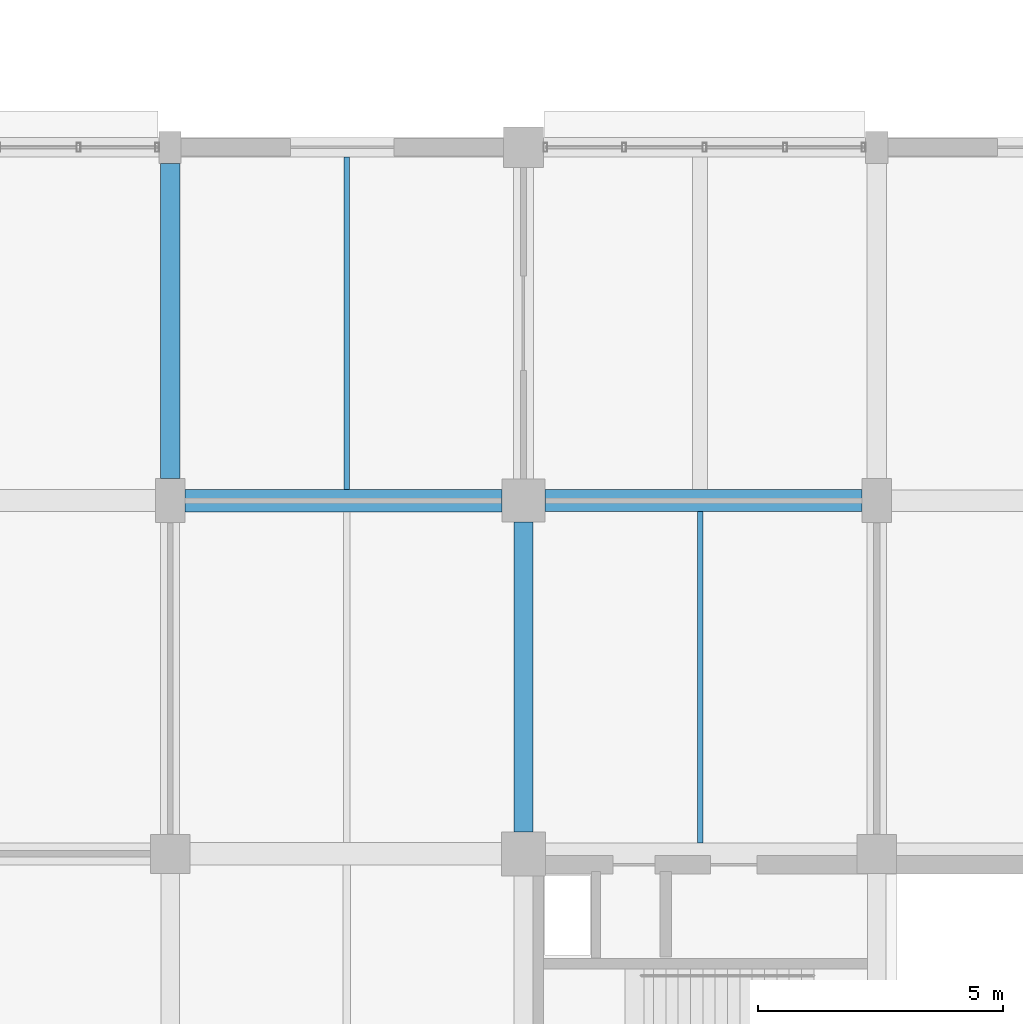
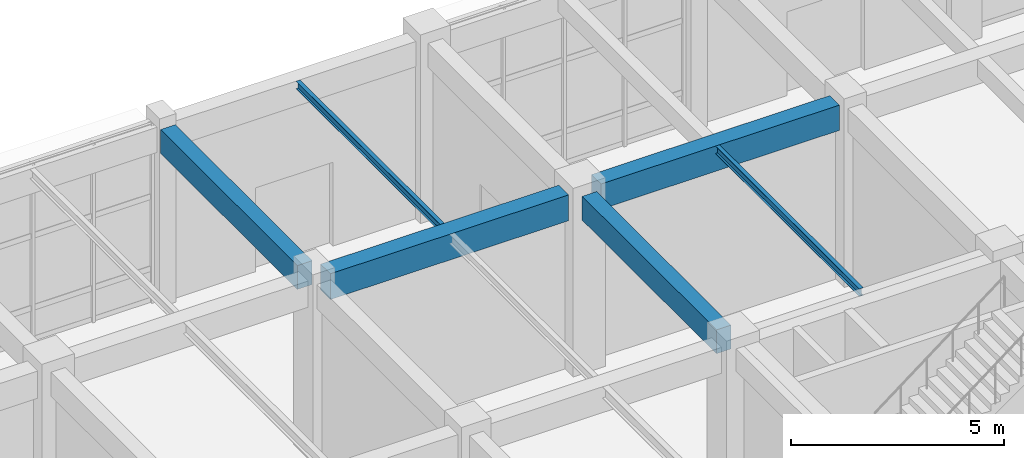
# One storey, part 57 of 160: 6 beams.
"""IFC4 building model written with IfcOpenShell, lengths in metres."""

from ifc_helpers import new_model, si_unit, direction, frame, origin, origin_2d, place, context, subcontext, project, spatial, rectangle, i_section, extrude, material, material_profile, profile_set, type_object, element, save


model = new_model("IFC4")

# Units and contexts
model_context = context("Model", 3, precision=1e-05, world=origin(), true_north=direction((0.0, 1.0)))
body_context = subcontext(model_context, "Body", "Model", "MODEL_VIEW")
ifc_project = project(units=[si_unit("LENGTHUNIT", "METRE"), si_unit("AREAUNIT", "SQUARE_METRE"), si_unit("VOLUMEUNIT", "CUBIC_METRE"), si_unit("PLANEANGLEUNIT", "RADIAN"), si_unit("MASSUNIT", "GRAM", prefix="KILO")], contexts=[model_context])

# Site, building, storey
site_placement = place(None, origin())
site = spatial("IfcSite", under=ifc_project, at=site_placement, CompositionType="ELEMENT")
building_placement = place(site_placement, origin())
building = spatial("IfcBuilding", under=site, at=building_placement, Name="Thalmaran Polytechnic", CompositionType="ELEMENT")
storey_placement = place(building_placement, origin())
storey = spatial("IfcBuildingStorey", under=building, at=storey_placement, Name="L00", CompositionType="ELEMENT", Elevation=0.0)

# Beams
ifc_material_1 = material(Name="Concrete C40/50", Category="concrete")
ifc_material_profile_1 = material_profile(ifc_material_1, rectangle(XDim=0.449951171875, YDim=0.72509765625, at=origin_2d()), Name="RC 450x725")
ifc_profile_set_1 = profile_set([ifc_material_profile_1], Name="Concrete C40/50")
beam_type_1 = type_object("IfcBeamType", Name="BM-RC04", PredefinedType="BEAM", material=ifc_profile_set_1)
beam_1_placement = place(storey_placement, frame((22.0400390625, 115.199951171875, 4.7275390625), z_axis=(1.0, 0.0, 0.0), x_axis=(0.0, 1.0, 0.0)))
element("IfcBeam", 1, at=beam_1_placement, inside=storey, type_object=beam_type_1, Name="Grid Beam B04 L00 X(3,16)", PredefinedType="BEAM", context=body_context, shape_type="SweptSolid", body=[
    extrude(rectangle(XDim=0.449951171875, YDim=0.72509765625, at=origin_2d()), origin(), (0.0, 0.0, 1.0), 6.4599609375),
])
ifc_material_profile_2 = material_profile(ifc_material_1, rectangle(XDim=0.389892578125, YDim=0.68505859375, at=origin_2d()), Name="RC 390x685")
ifc_profile_set_2 = profile_set([ifc_material_profile_2], Name="Concrete C40/50")
beam_type_2 = type_object("IfcBeamType", Name="BM-RC08", PredefinedType="BEAM", material=ifc_profile_set_2)
beam_2_placement = place(storey_placement, frame((21.60009765625, 108.449951171875, 4.74755859375), z_axis=(0.0, 1.0, 0.0), x_axis=(-1.0, 0.0, 0.0)))
element("IfcBeam", 2, at=beam_2_placement, inside=storey, type_object=beam_type_2, Name="Grid Beam B08 L00 Y(3,15)", PredefinedType="BEAM", context=body_context, shape_type="SweptSolid", body=[
    extrude(rectangle(XDim=0.389892578125, YDim=0.68505859375, at=origin_2d()), origin(), (0.0, 0.0, 1.0), 6.31005859375),
])
ifc_material_2 = material(Name="Steel S355", Category="steel")
ifc_material_profile_3 = material_profile(ifc_material_2, i_section(OverallWidth=0.110107421875, OverallDepth=0.219970703125, WebThickness=0.005859375, FlangeThickness=0.00927734375, at=origin_2d()), Name="IPE 220")
ifc_profile_set_3 = profile_set([ifc_material_profile_3], Name="Steel S355")
beam_type_3 = type_object("IfcBeamType", Name="BM-SJ04", PredefinedType="JOIST", material=ifc_profile_set_3)
beam_3_placement = place(storey_placement, frame((18.0, 115.429931640625, 4.97998046875), z_axis=(0.0, 1.0, 0.0), x_axis=(-1.0, 0.0, 0.0)))
element("IfcBeam", 3, at=beam_3_placement, inside=storey, type_object=beam_type_3, Name="Secondary Floor Rib SJ04 L00 (2,16)", PredefinedType="JOIST", context=body_context, shape_type="SweptSolid", body=[
    extrude(i_section(OverallWidth=0.110107421875, OverallDepth=0.219970703125, WebThickness=0.005859375, FlangeThickness=0.00927734375, at=origin_2d()), origin(), (0.0, 0.0, 1.0), 6.77001953125),
])
beam_4_placement = place(storey_placement, frame((25.199951171875, 108.22509765625, 4.97998046875), z_axis=(0.0, 1.0, 0.0), x_axis=(-1.0, 0.0, 0.0)))
element("IfcBeam", 4, at=beam_4_placement, inside=storey, type_object=beam_type_3, Name="Secondary Floor Rib SJ04 L00 (3,15)", PredefinedType="JOIST", context=body_context, shape_type="SweptSolid", body=[
    extrude(i_section(OverallWidth=0.110107421875, OverallDepth=0.219970703125, WebThickness=0.005859375, FlangeThickness=0.00927734375, at=origin_2d()), origin(), (0.0, 0.0, 1.0), 6.75),
])
ifc_material_profile_4 = material_profile(ifc_material_1, rectangle(XDim=0.4599609375, YDim=0.739990234375, at=origin_2d()), Name="RC 460x740")
ifc_profile_set_4 = profile_set([ifc_material_profile_4], Name="Concrete C40/50")
beam_type_4 = type_object("IfcBeamType", Name="BM-ZB02", PredefinedType="BEAM", material=ifc_profile_set_4)
beam_5_placement = place(storey_placement, frame((14.699951171875, 115.199951171875, 4.719970703125), z_axis=(1.0, 0.0, 0.0), x_axis=(0.0, 1.0, 0.0)))
element("IfcBeam", 5, at=beam_5_placement, inside=storey, type_object=beam_type_4, Name="Grid Beam ZB02 L00 X(2,16)", PredefinedType="BEAM", context=body_context, shape_type="SweptSolid", body=[
    extrude(rectangle(XDim=0.4599609375, YDim=0.739990234375, at=origin_2d()), origin(), (0.0, 0.0, 1.0), 6.4599609375),
])
ifc_material_profile_5 = material_profile(ifc_material_1, rectangle(XDim=0.39990234375, YDim=0.68505859375, at=origin_2d()), Name="RC 400x685")
ifc_profile_set_5 = profile_set([ifc_material_profile_5], Name="Concrete C40/50")
beam_type_5 = type_object("IfcBeamType", Name="BM-ZB07", PredefinedType="BEAM", material=ifc_profile_set_5)
beam_6_placement = place(storey_placement, frame((14.39990234375, 115.64990234375, 4.74755859375), z_axis=(0.0, 1.0, 0.0), x_axis=(-1.0, 0.0, 0.0)))
element("IfcBeam", 6, at=beam_6_placement, inside=storey, type_object=beam_type_5, Name="Grid Beam ZB07 L00 Y(2,16)", PredefinedType="BEAM", context=body_context, shape_type="SweptSolid", body=[
    extrude(rectangle(XDim=0.39990234375, YDim=0.68505859375, at=origin_2d()), origin(), (0.0, 0.0, 1.0), 6.425048828125),
])

save(model, "model.ifc")
